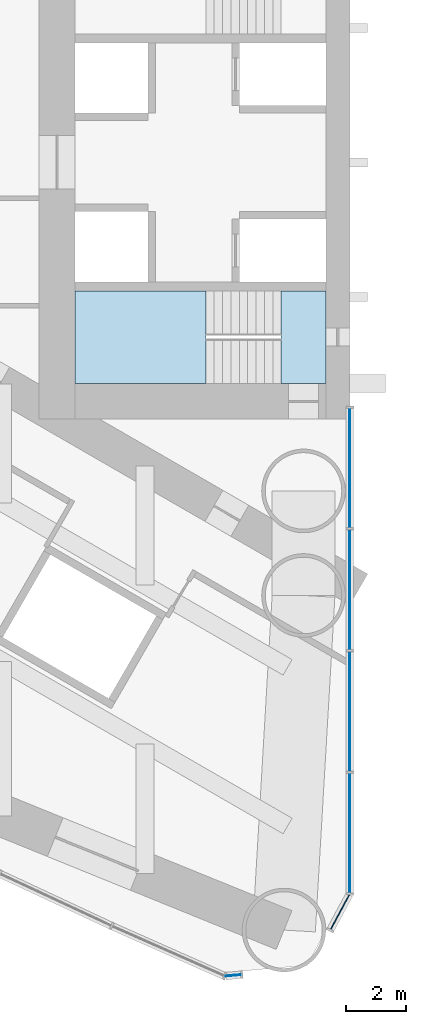
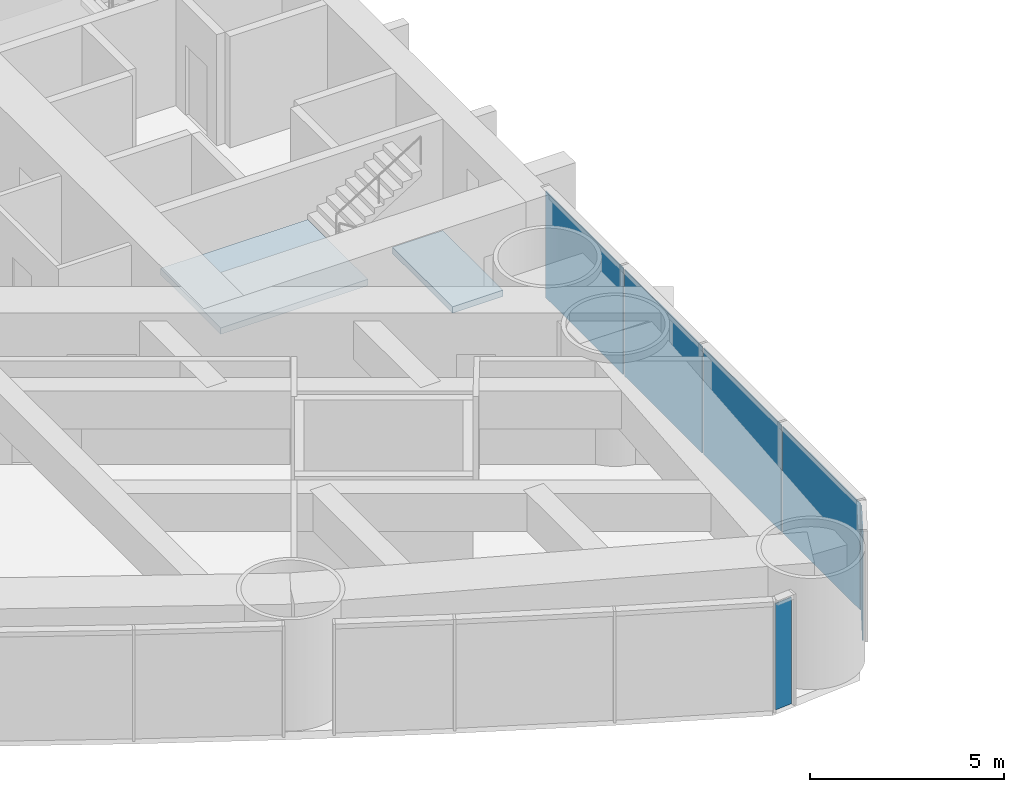
# One storey, part 12 of 20: 6 plates, 2 slabs, 3 elements without a shape of their own.
"""IFC4 building model written with IfcOpenShell, lengths in metres."""

from ifc_helpers import new_model, si_unit, direction, frame, origin, origin_2d, place, context, subcontext, project, spatial, polyline, rectangle, outline, extrude, material, layer, layer_set, type_object, element, aggregate, save


model = new_model("IFC4")

# Units and contexts
model_context = context("Model", 3, precision=1e-05, world=origin(), true_north=direction((0.0, 1.0)))
body_context = subcontext(model_context, "Body", "Model", "MODEL_VIEW")
ifc_project = project(units=[si_unit("LENGTHUNIT", "METRE"), si_unit("AREAUNIT", "SQUARE_METRE"), si_unit("VOLUMEUNIT", "CUBIC_METRE"), si_unit("PLANEANGLEUNIT", "RADIAN"), si_unit("MASSUNIT", "GRAM", prefix="KILO")], contexts=[model_context])

# Site, building, storey
site_placement = place(None, origin())
site = spatial("IfcSite", under=ifc_project, at=site_placement, CompositionType="ELEMENT")
building_placement = place(site_placement, origin())
building = spatial("IfcBuilding", under=site, at=building_placement, Name="Lancet Gate Hotel", CompositionType="ELEMENT")
storey_placement = place(building_placement, frame((0.0, 0.0, 77.5)))
storey = spatial("IfcBuildingStorey", under=building, at=storey_placement, Name="L20", CompositionType="ELEMENT", Elevation=77.5)

# Stair, slabs
ifc_material_1 = material(Name="Exit stair 20 risers 1500")
stair_type = type_object("IfcStairType", Name="Exit stair 20 risers 1500", PredefinedType="HALF_TURN_STAIR", material=ifc_material_1)
stair_placement = place(storey_placement, origin())
stair = element("IfcStair", 1, at=stair_placement, inside=storey, type_object=stair_type, Name="T1 stair 2 L20", PredefinedType="HALF_TURN_STAIR")
ifc_material_2 = material(Name="Concrete C40/50", Category="concrete")
ifc_layer_1 = layer(ifc_material_2, 0.199951171875)
ifc_layer_set_1 = layer_set([ifc_layer_1], Name="Stair landing 200")
slab_type = type_object("IfcSlabType", Name="Stair landing 200", PredefinedType="LANDING", material=ifc_layer_set_1)
slab_1_placement = place(storey_placement, frame((0.0, 0.0, -0.199951171875)))
slab_1 = element("IfcSlab", 2, at=slab_1_placement, type_object=slab_type, Name="ST2 landing 1", PredefinedType="LANDING", context=body_context, shape_type="SweptSolid", body=[
    extrude(outline(polyline([(-28.300048828125, -4.300048828125), (-29.800048828125, -4.300048828125), (-29.800048828125, -7.39990234375), (-28.300048828125, -7.39990234375), (-28.300048828125, -4.300048828125)])), origin(), (0.0, 0.0, 1.0), 0.199951171875),
])
slab_2_placement = place(storey_placement, frame((0.0, 0.0, 1.550048828125)))
slab_2 = element("IfcSlab", 3, at=slab_2_placement, type_object=slab_type, Name="ST2 landing 2", PredefinedType="LANDING", context=body_context, shape_type="SweptSolid", body=[
    extrude(outline(polyline([(-32.320068359375, -4.300048828125), (-36.699951171875, -4.300048828125), (-36.699951171875, -7.39990234375), (-32.320068359375, -7.39990234375), (-32.320068359375, -4.300048828125)])), origin(), (0.0, 0.0, 1.0), 0.199951171875),
])
aggregate(stair, [slab_1, slab_2])

# Curtain wall, plate
ifc_material_3 = material(Name="Aluminium curtain wall", Category="aluminium")
curtain_wall_type = type_object("IfcCurtainWallType", Name="Tower unitised curtain wall", PredefinedType="USERDEFINED", material=ifc_material_3)
curtain_wall_1_placement = place(storey_placement, origin())
curtain_wall_1 = element("IfcCurtainWall", 4, at=curtain_wall_1_placement, inside=storey, type_object=curtain_wall_type, Name="T1 L20 curtain wall 9", ObjectType="UNITISED CURTAIN WALL", PredefinedType="USERDEFINED")
ifc_material_4 = material(Name="Glass double glazed unit 8-16-6", Category="glass")
ifc_layer_2 = layer(ifc_material_4, 0.030029296875)
ifc_layer_set_2 = layer_set([ifc_layer_2], Name="Vision panel double glazed")
plate_type = type_object("IfcPlateType", Name="Vision panel double glazed", PredefinedType="CURTAIN_PANEL", material=ifc_layer_set_2)
plate_1_placement = place(storey_placement, frame((-31.404296875, -27.220703125, 0.0), z_axis=(0.0, 0.0, 1.0), x_axis=(0.99620380374, 0.087051602022, 0.0)))
plate_1 = element("IfcPlate", 5, at=plate_1_placement, type_object=plate_type, Name="T1 L20 curtain wall 9 panel 4", PredefinedType="CURTAIN_PANEL", context=body_context, shape_type="SweptSolid", body=[
    extrude(rectangle(XDim=0.505859375, YDim=0.030029296875, at=origin_2d()), origin(), (0.0, 0.0, 1.0), 3.35009765625),
])
aggregate(curtain_wall_1, [plate_1])

# Curtain wall, plates
curtain_wall_2_placement = place(storey_placement, origin())
curtain_wall_2 = element("IfcCurtainWall", 6, at=curtain_wall_2_placement, inside=storey, type_object=curtain_wall_type, Name="T1 L20 curtain wall 10", ObjectType="UNITISED CURTAIN WALL", PredefinedType="USERDEFINED")
plate_2_placement = place(storey_placement, frame((-27.8291015625, -25.101318359375, 0.0), z_axis=(0.0, 0.0, 1.0), x_axis=(0.474631040972, 0.880184852714, 0.0)))
plate_2 = element("IfcPlate", 7, at=plate_2_placement, type_object=plate_type, Name="T1 L20 curtain wall 10 panel 1", PredefinedType="CURTAIN_PANEL", context=body_context, shape_type="SweptSolid", body=[
    extrude(rectangle(XDim=1.3212890625, YDim=0.030029296875, at=origin_2d()), origin(), (0.0, 0.0, 1.0), 3.35009765625),
])
plate_3_placement = place(storey_placement, frame((-27.5, -22.454833984375, 0.0), z_axis=(0.0, 0.0, 1.0), x_axis=(0.0, 1.0, 0.0)))
plate_3 = element("IfcPlate", 8, at=plate_3_placement, type_object=plate_type, Name="T1 L20 curtain wall 10 panel 2", PredefinedType="CURTAIN_PANEL", context=body_context, shape_type="SweptSolid", body=[
    extrude(rectangle(XDim=4.0078125, YDim=0.030029296875, at=origin_2d()), origin(), (0.0, 0.0, 1.0), 3.35009765625),
])
plate_4_placement = place(storey_placement, frame((-27.5, -18.382080078125, 0.0), z_axis=(0.0, 0.0, 1.0), x_axis=(0.0, 1.0, 0.0)))
plate_4 = element("IfcPlate", 9, at=plate_4_placement, type_object=plate_type, Name="T1 L20 curtain wall 10 panel 3", PredefinedType="CURTAIN_PANEL", context=body_context, shape_type="SweptSolid", body=[
    extrude(rectangle(XDim=4.0078125, YDim=0.030029296875, at=origin_2d()), origin(), (0.0, 0.0, 1.0), 3.35009765625),
])
plate_5_placement = place(storey_placement, frame((-27.5, -14.30908203125, 0.0), z_axis=(0.0, 0.0, 1.0), x_axis=(0.0, 1.0, 0.0)))
plate_5 = element("IfcPlate", 10, at=plate_5_placement, type_object=plate_type, Name="T1 L20 curtain wall 10 panel 4", PredefinedType="CURTAIN_PANEL", context=body_context, shape_type="SweptSolid", body=[
    extrude(rectangle(XDim=4.0078125, YDim=0.030029296875, at=origin_2d()), origin(), (0.0, 0.0, 1.0), 3.35009765625),
])
plate_6_placement = place(storey_placement, frame((-27.5, -10.236328125, 0.0), z_axis=(0.0, 0.0, 1.0), x_axis=(0.0, 1.0, 0.0)))
plate_6 = element("IfcPlate", 11, at=plate_6_placement, type_object=plate_type, Name="T1 L20 curtain wall 10 panel 5", PredefinedType="CURTAIN_PANEL", context=body_context, shape_type="SweptSolid", body=[
    extrude(rectangle(XDim=4.0078125, YDim=0.030029296875, at=origin_2d()), origin(), (0.0, 0.0, 1.0), 3.35009765625),
])
aggregate(curtain_wall_2, [plate_2, plate_3, plate_4, plate_5, plate_6])

save(model, "model.ifc")
